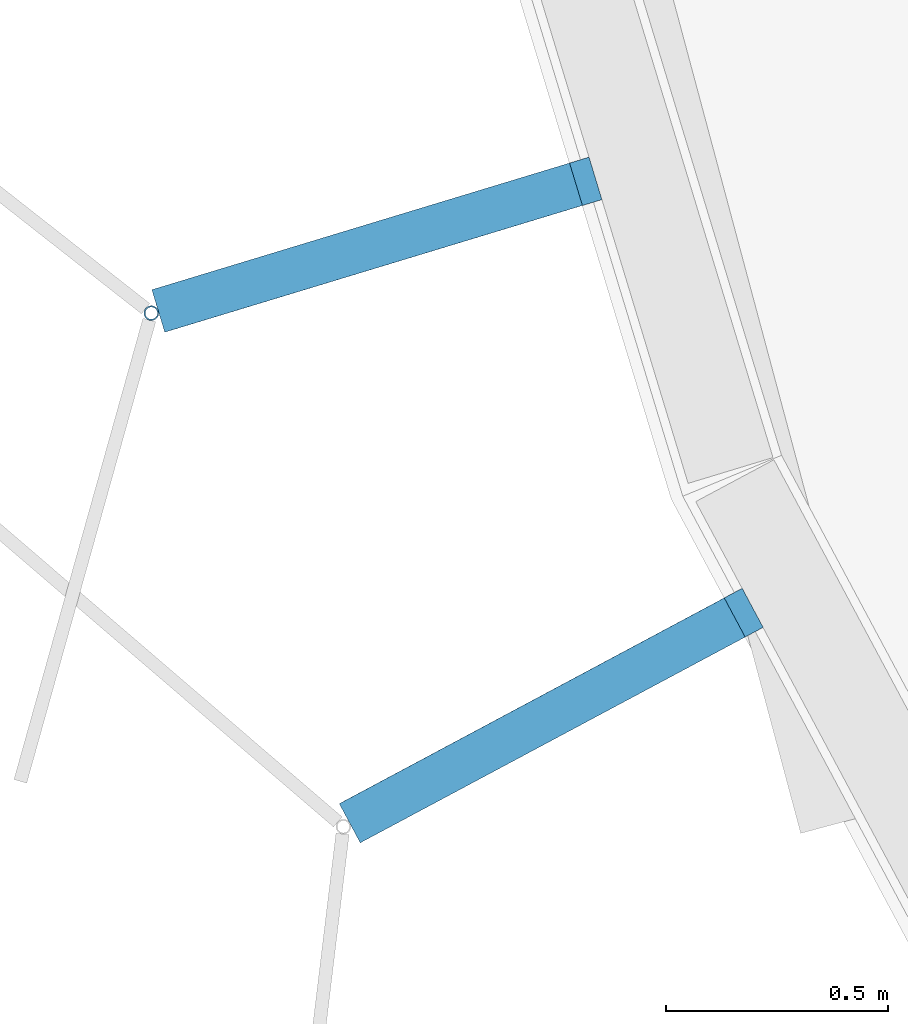
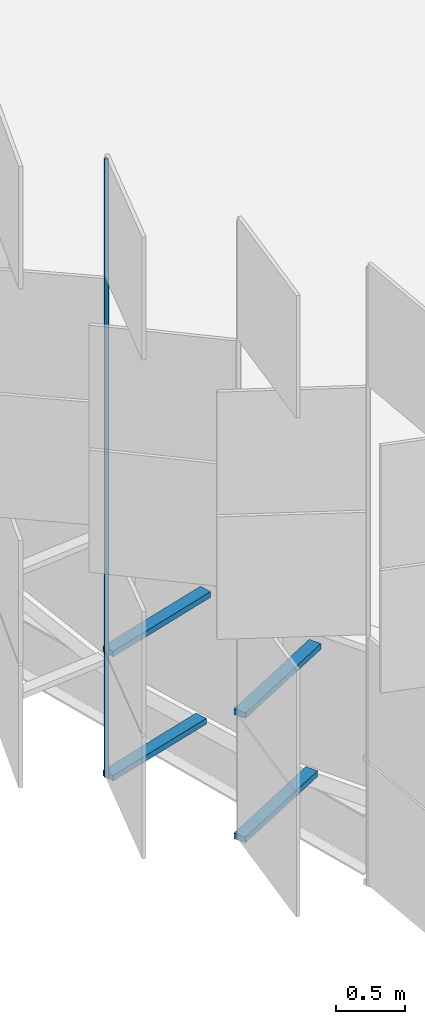
# One storey, part 135 of 483: 5 discrete accessories.
"""IFC4 building model written with IfcOpenShell, lengths in metres."""

from ifc_helpers import new_model, si_unit, direction, frame, origin, origin_2d, place, context, subcontext, project, spatial, rectangle, hollow_circle, extrude, material, material_profile, profile_set, type_object, element, save


model = new_model("IFC4")

# Units and contexts
model_context = context("Model", 3, precision=1e-05, world=origin(), true_north=direction((0.0, 1.0)))
body_context = subcontext(model_context, "Body", "Model", "MODEL_VIEW")
ifc_project = project(units=[si_unit("LENGTHUNIT", "METRE"), si_unit("AREAUNIT", "SQUARE_METRE"), si_unit("VOLUMEUNIT", "CUBIC_METRE"), si_unit("PLANEANGLEUNIT", "RADIAN"), si_unit("MASSUNIT", "GRAM", prefix="KILO")], contexts=[model_context])

# Site, building, storey
site_placement = place(None, origin())
site = spatial("IfcSite", under=ifc_project, at=site_placement, CompositionType="ELEMENT")
building_placement = place(site_placement, origin())
building = spatial("IfcBuilding", under=site, at=building_placement, Name="Parallax Yard Mobility Hub", CompositionType="ELEMENT")
storey_placement = place(building_placement, frame((0.0, 0.0, 13.199951171875)))
storey = spatial("IfcBuildingStorey", under=building, at=storey_placement, Name="L04", CompositionType="ELEMENT", Elevation=13.199951171875)

# Discrete accessories
ifc_material_1 = material(Name="Steel ASTM A36, hot-dip galvanised", Category="steel")
discrete_accessory_type_1 = type_object("IfcDiscreteAccessoryType", Name="Hinge bracket plate 100x50", PredefinedType="BRACKET", material=ifc_material_1)
discrete_accessory_1_placement = place(storey_placement, frame((22.38525390625, 117.697021484375, -0.02490234375), z_axis=(0.0, 0.0, 1.0), x_axis=(-0.956940335732, -0.290284677254, 0.0)))
element("IfcDiscreteAccessory", 1, at=discrete_accessory_1_placement, inside=storey, type_object=discrete_accessory_type_1, Name="Hinge bracket plate bay 72.3 level L04", PredefinedType="BRACKET", context=body_context, shape_type="SweptSolid", body=[
    extrude(rectangle(XDim=0.984130859375, YDim=0.10009765625, at=origin_2d()), origin(), (0.0, 0.0, 1.0), 0.050048828125),
])
discrete_accessory_2_placement = place(storey_placement, frame((22.4072265625, 117.70361328125, 1.06982421875), z_axis=(0.0, 0.0, 1.0), x_axis=(-0.956940335732, -0.290284677254, 0.0)))
element("IfcDiscreteAccessory", 2, at=discrete_accessory_2_placement, inside=storey, type_object=discrete_accessory_type_1, Name="Hinge bracket plate bay 72.3 level L04", PredefinedType="BRACKET", context=body_context, shape_type="SweptSolid", body=[
    extrude(rectangle(XDim=1.030029296875, YDim=0.10009765625, at=origin_2d()), origin(), (0.0, 0.0, 1.0), 0.050048828125),
])
discrete_accessory_3_placement = place(storey_placement, frame((22.780029296875, 116.631103515625, -0.02490234375), z_axis=(0.0, 0.0, 1.0), x_axis=(-0.881921264348, -0.471396736826, 0.0)))
element("IfcDiscreteAccessory", 3, at=discrete_accessory_3_placement, inside=storey, type_object=discrete_accessory_type_1, Name="Hinge bracket plate bay 72.4 level L04", PredefinedType="BRACKET", context=body_context, shape_type="SweptSolid", body=[
    extrude(rectangle(XDim=0.984130859375, YDim=0.10009765625, at=origin_2d()), origin(), (0.0, 0.0, 1.0), 0.050048828125),
])
discrete_accessory_4_placement = place(storey_placement, frame((22.80029296875, 116.64208984375, 1.06982421875), z_axis=(0.0, 0.0, 1.0), x_axis=(-0.881921264348, -0.471396736826, 0.0)))
element("IfcDiscreteAccessory", 4, at=discrete_accessory_4_placement, inside=storey, type_object=discrete_accessory_type_1, Name="Hinge bracket plate bay 72.4 level L04", PredefinedType="BRACKET", context=body_context, shape_type="SweptSolid", body=[
    extrude(rectangle(XDim=1.030029296875, YDim=0.10009765625, at=origin_2d()), origin(), (0.0, 0.0, 1.0), 0.050048828125),
])
ifc_material_2 = material(Name="Steel ASTM A500 Gr C, hot-dip galvanised", Category="steel")
ifc_material_profile = material_profile(ifc_material_2, hollow_circle(Radius=0.016845703125, WallThickness=0.003173828125, at=origin_2d()), Name="CHS 33.7x3.2")
ifc_profile_set = profile_set([ifc_material_profile], Name="Steel ASTM A500 Gr C, hot-dip galvanised")
discrete_accessory_type_2 = type_object("IfcDiscreteAccessoryType", Name="Hinge post CHS 33.7x3.2", PredefinedType="BRACKET", material=ifc_profile_set)
discrete_accessory_5_placement = place(storey_placement, frame((21.898681640625, 117.54931640625, 0.0), z_axis=(0.0, 0.0, 1.0), x_axis=(1.0, 0.0, 0.0)))
element("IfcDiscreteAccessory", 5, at=discrete_accessory_5_placement, inside=storey, type_object=discrete_accessory_type_2, Name="Hinge post bay 72.3 level L04", PredefinedType="BRACKET", context=body_context, shape_type="SweptSolid", body=[
    extrude(hollow_circle(Radius=0.016845703125, WallThickness=0.003173828125, at=origin_2d()), origin(), (0.0, 0.0, 1.0), 5.449951171875),
])

save(model, "model.ifc")
